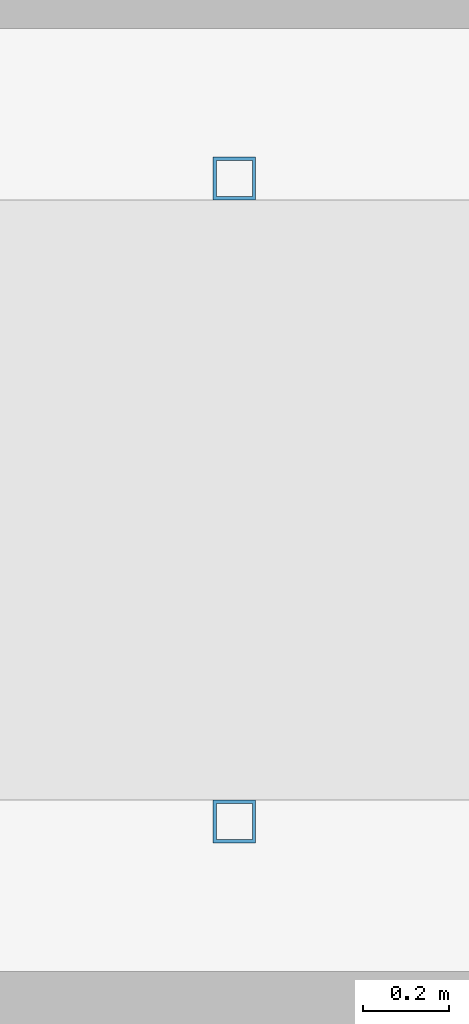
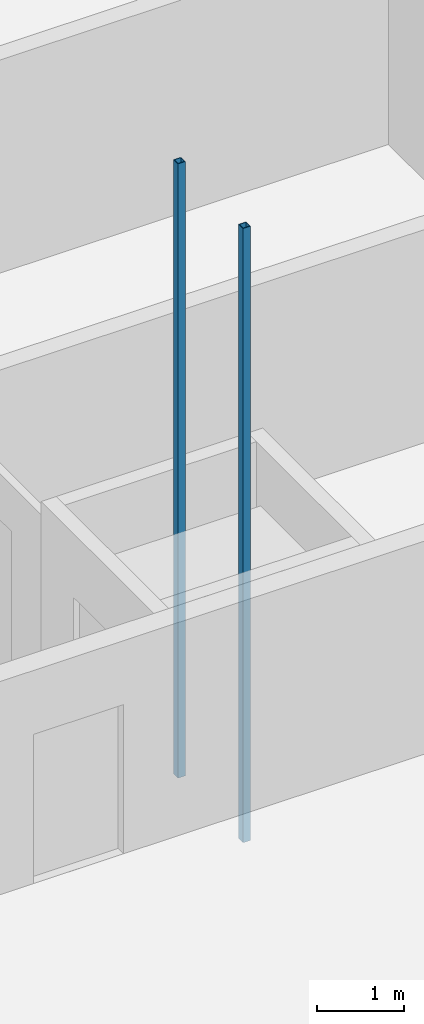
# One storey, part 19 of 112: 2 members.
"""IFC4 building model written with IfcOpenShell, lengths in metres."""

from ifc_helpers import new_model, si_unit, direction, frame, origin, origin_2d, place, context, subcontext, project, spatial, hollow_rectangle, extrude, material, material_profile, profile_set, type_object, element, save


model = new_model("IFC4")

# Units and contexts
model_context = context("Model", 3, precision=1e-05, world=origin(), true_north=direction((0.0, 1.0)))
body_context = subcontext(model_context, "Body", "Model", "MODEL_VIEW")
ifc_project = project(units=[si_unit("LENGTHUNIT", "METRE"), si_unit("AREAUNIT", "SQUARE_METRE"), si_unit("VOLUMEUNIT", "CUBIC_METRE"), si_unit("PLANEANGLEUNIT", "RADIAN"), si_unit("MASSUNIT", "GRAM", prefix="KILO")], contexts=[model_context])

# Site, building, storey
site_placement = place(None, origin())
site = spatial("IfcSite", under=ifc_project, at=site_placement, CompositionType="ELEMENT")
building_placement = place(site_placement, origin())
building = spatial("IfcBuilding", under=site, at=building_placement, Name="Ridgestep Commons", CompositionType="ELEMENT")
storey_placement = place(building_placement, origin())
storey = spatial("IfcBuildingStorey", under=building, at=storey_placement, Name="L00", CompositionType="ELEMENT", Elevation=0.0)

# Members
ifc_material = material(Name="Structural steel S355JR", Category="steel")
ifc_material_profile = material_profile(ifc_material, hollow_rectangle(XDim=0.10009765625, YDim=0.10009765625, WallThickness=0.008056640625, at=origin_2d()), Name="RHS 100x100x8")
ifc_profile_set = profile_set([ifc_material_profile], Name="Structural steel S355JR")
member_type = type_object("IfcMemberType", Name="Community lift guide post 100 x 100", PredefinedType="POST", material=ifc_profile_set)
for number, where, z_axis, x_axis, name in (
    (1, (106.72509765625, 38.300048828125, -1.050048828125), (0.0, 0.0, 1.0), (1.0, 0.0, 0.0), "Lift guide rail"),
    (2, (106.72509765625, 39.800048828125, -1.050048828125), (0.0, 0.0, 1.0), (1.0, 0.0, 0.0), "Lift guide rail"),
):
    element("IfcMember", number, at=place(storey_placement, frame(where, z_axis=z_axis, x_axis=x_axis)), inside=storey, type_object=member_type, Name=name, PredefinedType="POST", context=body_context, shape_type="SweptSolid", body=[
        extrude(hollow_rectangle(XDim=0.10009765625, YDim=0.10009765625, WallThickness=0.008056640625, at=origin_2d()), origin(), (0.0, 0.0, 1.0), 8.650146484375),
    ])

save(model, "model.ifc")
